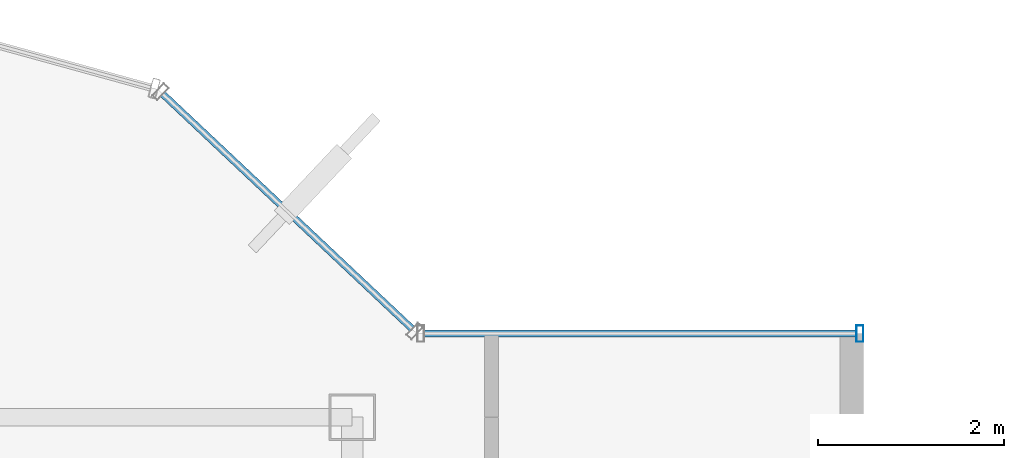
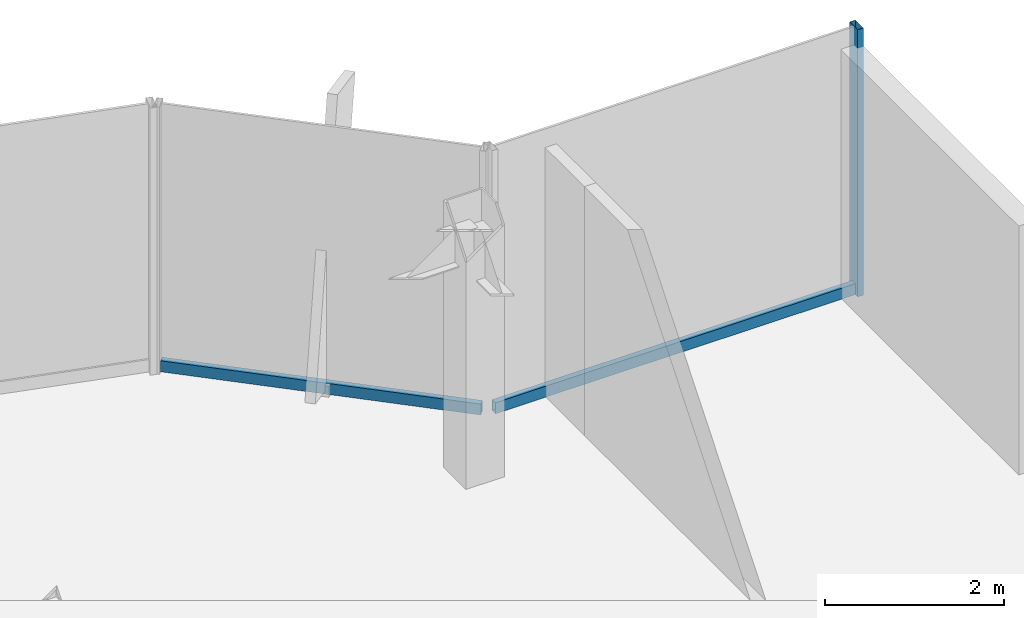
# One storey, part 15 of 22: 3 members, 2 elements without a shape of their own.
"""IFC4 building model written with IfcOpenShell, lengths in metres."""

from ifc_helpers import new_model, si_unit, derived_unit, direction, frame, origin, origin_2d, place, context, subcontext, project, spatial, hollow_rectangle, extrude, source, transform, mapped, material, material_profile, profile_set, type_object, element, aggregate, save


model = new_model("IFC4")

# Units and contexts
model_context = context("Model", 3, precision=1e-05, world=origin(), true_north=direction((0.0, 1.0)))
body_context = subcontext(model_context, "Body", "Model", "MODEL_VIEW")
ifc_project = project(units=[si_unit("LENGTHUNIT", "METRE"), si_unit("AREAUNIT", "SQUARE_METRE"), si_unit("VOLUMEUNIT", "CUBIC_METRE"), si_unit("PLANEANGLEUNIT", "RADIAN"), si_unit("MASSUNIT", "GRAM", prefix="KILO"), derived_unit("THERMALTRANSMITTANCEUNIT", [(si_unit("POWERUNIT", "WATT"), 1), (si_unit("LENGTHUNIT", "METRE"), -2), (si_unit("THERMODYNAMICTEMPERATUREUNIT", "KELVIN"), -1)])], contexts=[model_context])

# Site, building, storey
site_placement = place(None, origin())
site = spatial("IfcSite", under=ifc_project, at=site_placement, CompositionType="ELEMENT")
building_placement = place(site_placement, origin())
building = spatial("IfcBuilding", under=site, at=building_placement, Name="Skarnbrae Concourse Arena and Tower", CompositionType="ELEMENT")
storey_placement = place(building_placement, frame((0.0, 0.0, 255.14990234375)))
storey = spatial("IfcBuildingStorey", under=building, at=storey_placement, Name="L66", CompositionType="ELEMENT", Elevation=255.14990234375)

# Curtain wall, member
ifc_material = material(Name="Bronze anodised aluminium 6063-T6", Category="aluminium")
curtain_wall_type = type_object("IfcCurtainWallType", Name="CW-SYS-05-HIGHZONE", PredefinedType="USERDEFINED", material=ifc_material)
curtain_wall_1_placement = place(storey_placement, origin())
curtain_wall_1 = element("IfcCurtainWall", 1, at=curtain_wall_1_placement, inside=storey, type_object=curtain_wall_type, Name="L66 Unitised curtain wall CW-L66-E07", ObjectType="UNITISED CURTAIN WALL", PredefinedType="USERDEFINED")
ifc_material_profile_1 = material_profile(ifc_material, hollow_rectangle(XDim=0.074951171875, YDim=0.14990234375, WallThickness=0.00390625, at=origin_2d()), Name="ALU-TRAN-75X150")
ifc_profile_set_1 = profile_set([ifc_material_profile_1], Name="Bronze anodised aluminium 6063-T6")
member_type_1 = type_object("IfcMemberType", Name="CWT-CW-05", PredefinedType="USERDEFINED", material=ifc_profile_set_1)
shared_shape_1 = source(origin(), body_context, "Body", "SweptSolid", [
    extrude(hollow_rectangle(XDim=0.074951171875, YDim=0.14990234375, WallThickness=0.00390625, at=origin_2d()), origin(), (0.0, 0.0, 1.0), 4.650146484375),
])
member_1_placement = place(storey_placement, frame((38.925048828125, 35.300048828125, 0.0751953125), z_axis=(-1.0, 0.0, 0.0), x_axis=(0.0, -1.0, 0.0)))
member_1 = element("IfcMember", 2, at=member_1_placement, type_object=member_type_1, Name="CW-L66-E07 Transom 1", ObjectType="TRANSOM", PredefinedType="USERDEFINED", context=body_context, shape_type="MappedRepresentation", body=[
    mapped(shared_shape_1, transform((0.0, 0.0, 0.0))),
])

curtain_wall_2_placement = place(storey_placement, origin())
curtain_wall_2 = element("IfcCurtainWall", 3, at=curtain_wall_2_placement, inside=storey, type_object=curtain_wall_type, Name="L66 Unitised curtain wall CW-L66-E08", ObjectType="UNITISED CURTAIN WALL", PredefinedType="USERDEFINED")
shared_shape_2 = source(origin(), body_context, "Body", "SweptSolid", [
    extrude(hollow_rectangle(XDim=0.074951171875, YDim=0.14990234375, WallThickness=0.00390625, at=origin_2d()), origin(), (0.0, 0.0, 1.0), 3.68212890625),
])
member_2_placement = place(storey_placement, frame((34.1455078125, 35.351318359375, 0.0751953125), z_axis=(-0.728133808476, 0.685435012933, 0.0), x_axis=(-0.685435012933, -0.728133808476, 0.0)))
member_2 = element("IfcMember", 4, at=member_2_placement, type_object=member_type_1, Name="CW-L66-E08 Transom 1", ObjectType="TRANSOM", PredefinedType="USERDEFINED", context=body_context, shape_type="MappedRepresentation", body=[
    mapped(shared_shape_2, transform((0.0, 0.0, 0.0))),
])
aggregate(curtain_wall_2, [member_2])

# Member
ifc_material_profile_2 = material_profile(ifc_material, hollow_rectangle(XDim=0.074951171875, YDim=0.179931640625, WallThickness=0.00390625, at=origin_2d()), Name="ALU-MULL-75X180")
ifc_profile_set_2 = profile_set([ifc_material_profile_2], Name="Bronze anodised aluminium 6063-T6")
member_type_2 = type_object("IfcMemberType", Name="CWM-CW-05", PredefinedType="MULLION", material=ifc_profile_set_2)
shared_shape_3 = source(origin(), body_context, "Body", "SweptSolid", [
    extrude(hollow_rectangle(XDim=0.074951171875, YDim=0.179931640625, WallThickness=0.00390625, at=origin_2d()), origin(), (0.0, 0.0, 1.0), 3.650146484375),
])
member_3_placement = place(storey_placement, frame((38.96240234375, 35.300048828125, 0.0), z_axis=(0.0, 0.0, 1.0), x_axis=(-1.0, 0.0, 0.0)))
member_3 = element("IfcMember", 5, at=member_3_placement, type_object=member_type_2, Name="CW-L66-E07 Mullion 1", PredefinedType="MULLION", context=body_context, shape_type="MappedRepresentation", body=[
    mapped(shared_shape_3, transform((0.0, 0.0, 0.0))),
])

aggregate(curtain_wall_1, [member_3, member_1])

save(model, "model.ifc")
